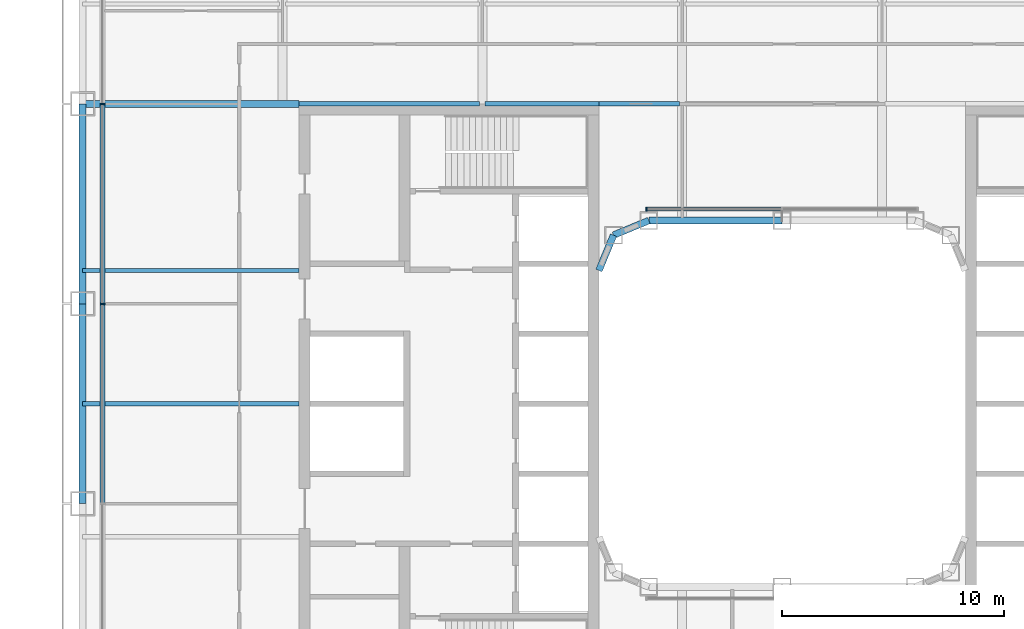
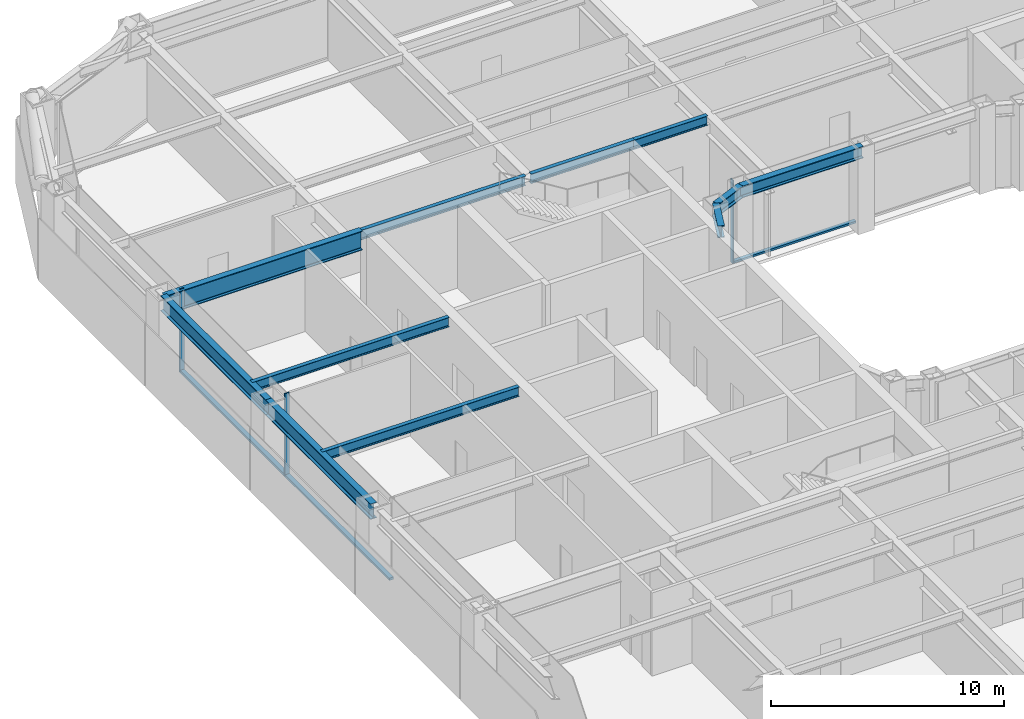
# One storey, part 6 of 27: 11 beams, 6 members, 2 elements without a shape of their own.
"""IFC4 building model written with IfcOpenShell, lengths in metres."""

from ifc_helpers import new_model, si_unit, direction, frame, origin, origin_2d, place, context, subcontext, project, spatial, rectangle, i_section, extrude, material, layer, layer_set, material_profile, profile_set, type_object, element, aggregate, save


model = new_model("IFC4")

# Units and contexts
model_context = context("Model", 3, precision=1e-05, world=origin(), true_north=direction((0.0, 1.0)))
body_context = subcontext(model_context, "Body", "Model", "MODEL_VIEW")
ifc_project = project(units=[si_unit("LENGTHUNIT", "METRE"), si_unit("AREAUNIT", "SQUARE_METRE"), si_unit("VOLUMEUNIT", "CUBIC_METRE"), si_unit("PLANEANGLEUNIT", "RADIAN"), si_unit("MASSUNIT", "GRAM", prefix="KILO")], contexts=[model_context])

# Site, building, storey
site_placement = place(None, origin())
site = spatial("IfcSite", under=ifc_project, at=site_placement, CompositionType="ELEMENT")
building_placement = place(site_placement, origin())
building = spatial("IfcBuilding", under=site, at=building_placement, Name="Siwar Civic Tower", CompositionType="ELEMENT")
storey_placement = place(building_placement, frame((0.0, 0.0, 35.699951171875)))
storey = spatial("IfcBuildingStorey", under=building, at=storey_placement, Name="L07", CompositionType="ELEMENT", Elevation=35.699951171875)

# Curtain wall, members
ifc_material_1 = material(Name="Aluminium and glass", Category="aluminium")
ifc_layer_1 = layer(ifc_material_1, 0.219970703125)
ifc_layer_set_1 = layer_set([ifc_layer_1], Name="Aluminium and glass")
curtain_wall_type_1 = type_object("IfcCurtainWallType", Name="ENV-CW-A", PredefinedType="NOTDEFINED", material=ifc_layer_set_1)
curtain_wall_1_placement = place(storey_placement, origin())
curtain_wall_1 = element("IfcCurtainWall", 1, at=curtain_wall_1_placement, inside=storey, type_object=curtain_wall_type_1, Name="Curtain wall A W", PredefinedType="NOTDEFINED")
ifc_material_2 = material(Name="Aluminium 6063-T6", Category="aluminium")
ifc_material_profile_1 = material_profile(ifc_material_2, rectangle(XDim=0.219970703125, YDim=0.070068359375, at=origin_2d()), Name="AL 220x70")
ifc_profile_set_1 = profile_set([ifc_material_profile_1], Name="Aluminium 6063-T6")
member_type_1 = type_object("IfcMemberType", Name="ENV-MULLION-A", PredefinedType="MULLION", material=ifc_profile_set_1)
member_1_placement = place(storey_placement, frame((-30.60009765625, 13.5, 0.0), z_axis=(0.0, 0.0, 1.0), x_axis=(1.0, 0.0, 0.0)))
member_1 = element("IfcMember", 2, at=member_1_placement, type_object=member_type_1, Name="Mullion A W 2", PredefinedType="MULLION", context=body_context, shape_type="SweptSolid", body=[
    extrude(rectangle(XDim=0.219970703125, YDim=0.070068359375, at=origin_2d()), origin(), (0.0, 0.0, 1.0), 4.35009765625),
])
member_2_placement = place(storey_placement, frame((-30.60009765625, 4.5, 0.0), z_axis=(0.0, 0.0, 1.0), x_axis=(1.0, 0.0, 0.0)))
member_2 = element("IfcMember", 3, at=member_2_placement, type_object=member_type_1, Name="Mullion A W 3", PredefinedType="MULLION", context=body_context, shape_type="SweptSolid", body=[
    extrude(rectangle(XDim=0.219970703125, YDim=0.070068359375, at=origin_2d()), origin(), (0.0, 0.0, 1.0), 4.35009765625),
])

# Curtain wall, member
ifc_material_3 = material(Name="Aluminium and glass", Category="aluminium")
ifc_layer_2 = layer(ifc_material_3, 0.179931640625)
ifc_layer_set_2 = layer_set([ifc_layer_2], Name="Aluminium and glass")
curtain_wall_type_2 = type_object("IfcCurtainWallType", Name="ENV-CW-W", PredefinedType="NOTDEFINED", material=ifc_layer_set_2)
curtain_wall_2_placement = place(storey_placement, origin())
curtain_wall_2 = element("IfcCurtainWall", 4, at=curtain_wall_2_placement, inside=storey, type_object=curtain_wall_type_2, Name="Curtain wall W WN", PredefinedType="NOTDEFINED")
ifc_material_4 = material(Name="Aluminium 6063-T6", Category="aluminium")
ifc_material_profile_2 = material_profile(ifc_material_4, rectangle(XDim=0.179931640625, YDim=0.06005859375, at=origin_2d()), Name="AL 180x60")
ifc_profile_set_2 = profile_set([ifc_material_profile_2], Name="Aluminium 6063-T6")
member_type_2 = type_object("IfcMemberType", Name="ENV-MULLION-W", PredefinedType="MULLION", material=ifc_profile_set_2)
member_3_placement = place(storey_placement, frame((-6.1015625, 8.760009765625, 0.0), z_axis=(0.0, 0.0, 1.0), x_axis=(0.0, -1.0, 0.0)))
member_3 = element("IfcMember", 5, at=member_3_placement, type_object=member_type_2, Name="Mullion W WN 3", PredefinedType="MULLION", context=body_context, shape_type="SweptSolid", body=[
    extrude(rectangle(XDim=0.179931640625, YDim=0.06005859375, at=origin_2d()), origin(), (0.0, 0.0, 1.0), 4.35009765625),
])

# Member
ifc_material_5 = material(Name="Aluminium 6063-T6", Category="aluminium")
ifc_material_profile_3 = material_profile(ifc_material_5, rectangle(XDim=0.219970703125, YDim=0.1201171875, at=origin_2d()), Name="AL 220x120")
ifc_profile_set_3 = profile_set([ifc_material_profile_3], Name="Aluminium 6063-T6")
member_type_3 = type_object("IfcMemberType", Name="ENV-TRANSOM-A", PredefinedType="USERDEFINED", material=ifc_profile_set_3)
member_4_placement = place(storey_placement, frame((-30.60009765625, 13.465087890625, 0.06005859375), z_axis=(0.0, -1.0, 0.0), x_axis=(1.0, 0.0, 0.0)))
member_4 = element("IfcMember", 6, at=member_4_placement, type_object=member_type_3, Name="Transom A W 2", ObjectType="TRANSOM", PredefinedType="USERDEFINED", context=body_context, shape_type="SweptSolid", body=[
    extrude(rectangle(XDim=0.219970703125, YDim=0.1201171875, at=origin_2d()), origin(), (0.0, 0.0, 1.0), 8.93017578125),
])

member_5_placement = place(storey_placement, frame((-30.60009765625, 4.465087890625, 0.06005859375), z_axis=(0.0, -1.0, 0.0), x_axis=(1.0, 0.0, 0.0)))
member_5 = element("IfcMember", 7, at=member_5_placement, type_object=member_type_3, Name="Transom A W 3", ObjectType="TRANSOM", PredefinedType="USERDEFINED", context=body_context, shape_type="SweptSolid", body=[
    extrude(rectangle(XDim=0.219970703125, YDim=0.1201171875, at=origin_2d()), origin(), (0.0, 0.0, 1.0), 8.93017578125),
])

aggregate(curtain_wall_1, [member_1, member_2, member_4, member_5])

ifc_material_6 = material(Name="Aluminium 6063-T6", Category="aluminium")
ifc_material_profile_4 = material_profile(ifc_material_6, rectangle(XDim=0.179931640625, YDim=0.10009765625, at=origin_2d()), Name="AL 180x100")
ifc_profile_set_4 = profile_set([ifc_material_profile_4], Name="Aluminium 6063-T6")
member_type_4 = type_object("IfcMemberType", Name="ENV-TRANSOM-W", PredefinedType="USERDEFINED", material=ifc_profile_set_4)
member_6_placement = place(storey_placement, frame((-0.030029296875, 8.760009765625, 0.050048828125), z_axis=(-1.0, 0.0, 0.0), x_axis=(0.0, -1.0, 0.0)))
member_6 = element("IfcMember", 8, at=member_6_placement, type_object=member_type_4, Name="Transom W WN 2", ObjectType="TRANSOM", PredefinedType="USERDEFINED", context=body_context, shape_type="SweptSolid", body=[
    extrude(rectangle(XDim=0.179931640625, YDim=0.10009765625, at=origin_2d()), origin(), (0.0, 0.0, 1.0), 6.04150390625),
])

aggregate(curtain_wall_2, [member_3, member_6])

# Beams
ifc_material_7 = material(Name="Steel S355", Category="steel")
ifc_material_profile_5 = material_profile(ifc_material_7, i_section(OverallWidth=0.199951171875, OverallDepth=0.5, WebThickness=0.01025390625, FlangeThickness=0.01611328125, FilletRadius=0.02099609375, at=origin_2d()), Name="IPE500")
ifc_profile_set_5 = profile_set([ifc_material_profile_5], Name="Steel S355")
beam_type_1 = type_object("IfcBeamType", Name="STR-FB-IPE500", PredefinedType="JOIST", material=ifc_profile_set_5)
for number, where, z_axis, x_axis, name in (
    (9, (-31.5, 0.0, 4.10009765625), (1.0, 0.0, 0.0), (0.0, 1.0, 0.0), "L07/bm/F033"),
    (10, (-31.5, 6.0, 4.10009765625), (1.0, 0.0, 0.0), (0.0, 1.0, 0.0), "L07/bm/F035"),
):
    element("IfcBeam", number, at=place(storey_placement, frame(where, z_axis=z_axis, x_axis=x_axis)), inside=storey, type_object=beam_type_1, Name=name, PredefinedType="JOIST", context=body_context, shape_type="SweptSolid", body=[
        extrude(i_section(OverallWidth=0.199951171875, OverallDepth=0.5, WebThickness=0.01025390625, FlangeThickness=0.01611328125, FilletRadius=0.02099609375, at=origin_2d()), origin(), (0.0, 0.0, 1.0), 9.75),
    ])
beam_1_placement = place(storey_placement, frame((-21.75, 13.5, 4.10009765625), z_axis=(1.0, 0.0, 0.0), x_axis=(0.0, 1.0, 0.0)))
element("IfcBeam", 11, at=beam_1_placement, inside=storey, type_object=beam_type_1, Name="L07/bm/F038", PredefinedType="JOIST", context=body_context, shape_type="SweptSolid", body=[
    extrude(i_section(OverallWidth=0.199951171875, OverallDepth=0.5, WebThickness=0.01025390625, FlangeThickness=0.01611328125, FilletRadius=0.02099609375, at=origin_2d()), origin(), (0.0, 0.0, 1.0), 8.1201171875),
])
beam_2_placement = place(storey_placement, frame((-13.3701171875, 13.5, 4.10009765625), z_axis=(1.0, 0.0, 0.0), x_axis=(0.0, 1.0, 0.0)))
element("IfcBeam", 12, at=beam_2_placement, inside=storey, type_object=beam_type_1, Name="L07/bm/F039", PredefinedType="JOIST", context=body_context, shape_type="SweptSolid", body=[
    extrude(i_section(OverallWidth=0.199951171875, OverallDepth=0.5, WebThickness=0.01025390625, FlangeThickness=0.01611328125, FilletRadius=0.02099609375, at=origin_2d()), origin(), (0.0, 0.0, 1.0), 5.1201171875),
])
beam_3_placement = place(storey_placement, frame((-8.25, 13.5, 4.10009765625), z_axis=(1.0, 0.0, 0.0), x_axis=(0.0, 1.0, 0.0)))
element("IfcBeam", 13, at=beam_3_placement, inside=storey, type_object=beam_type_1, Name="L07/bm/F040", PredefinedType="JOIST", context=body_context, shape_type="SweptSolid", body=[
    extrude(i_section(OverallWidth=0.199951171875, OverallDepth=0.5, WebThickness=0.01025390625, FlangeThickness=0.01611328125, FilletRadius=0.02099609375, at=origin_2d()), origin(), (0.0, 0.0, 1.0), 3.6201171875),
])
ifc_material_8 = material(Name="Steel S355", Category="steel")
ifc_material_profile_6 = material_profile(ifc_material_8, i_section(OverallWidth=0.300048828125, OverallDepth=1.0, WebThickness=0.01904296875, FlangeThickness=0.035888671875, FilletRadius=0.030029296875, at=origin_2d()), Name="HEB1000")
ifc_profile_set_6 = profile_set([ifc_material_profile_6], Name="Steel S355")
beam_type_2 = type_object("IfcBeamType", Name="STR-PG-HEB1000", PredefinedType="BEAM", material=ifc_profile_set_6)
beam_4_placement = place(storey_placement, frame((-31.5, 13.5, 3.85009765625), z_axis=(1.0, 0.0, 0.0), x_axis=(0.0, 1.0, 0.0)))
element("IfcBeam", 14, at=beam_4_placement, inside=storey, type_object=beam_type_2, Name="L07/bm/F037", PredefinedType="BEAM", context=body_context, shape_type="SweptSolid", body=[
    extrude(i_section(OverallWidth=0.300048828125, OverallDepth=1.0, WebThickness=0.01904296875, FlangeThickness=0.035888671875, FilletRadius=0.030029296875, at=origin_2d()), origin(), (0.0, 0.0, 1.0), 9.75),
])
ifc_material_9 = material(Name="Steel S355", Category="steel")
ifc_material_profile_7 = material_profile(ifc_material_9, i_section(OverallWidth=0.304931640625, OverallDepth=0.6201171875, WebThickness=0.02099609375, FlangeThickness=0.0400390625, FilletRadius=0.027099609375, at=origin_2d()), Name="HEM600")
ifc_profile_set_7 = profile_set([ifc_material_profile_7], Name="Steel S355")
beam_type_3 = type_object("IfcBeamType", Name="STR-RB-HEM600", PredefinedType="BEAM", material=ifc_profile_set_7)
beam_5_placement = place(storey_placement, frame((-7.591064453125, 7.591064453125, 4.0400390625), z_axis=(0.923901072997, 0.382631424892, 0.0), x_axis=(-0.382631424892, 0.923901072997, 0.0)))
element("IfcBeam", 15, at=beam_5_placement, inside=storey, type_object=beam_type_3, Name="L07/bm/RN0", PredefinedType="BEAM", context=body_context, shape_type="SweptSolid", body=[
    extrude(i_section(OverallWidth=0.304931640625, OverallDepth=0.6201171875, WebThickness=0.02099609375, FlangeThickness=0.0400390625, FilletRadius=0.027099609375, at=origin_2d()), origin(), (0.0, 0.0, 1.0), 1.72216796875),
])
beam_6_placement = place(storey_placement, frame((-6.0, 8.25, 4.0400390625), z_axis=(1.0, 0.0, 0.0), x_axis=(0.0, 1.0, 0.0)))
element("IfcBeam", 16, at=beam_6_placement, inside=storey, type_object=beam_type_3, Name="L07/bm/RN1", PredefinedType="BEAM", context=body_context, shape_type="SweptSolid", body=[
    extrude(i_section(OverallWidth=0.304931640625, OverallDepth=0.6201171875, WebThickness=0.02099609375, FlangeThickness=0.0400390625, FilletRadius=0.027099609375, at=origin_2d()), origin(), (0.0, 0.0, 1.0), 6.0),
])
beam_7_placement = place(storey_placement, frame((-7.591064453125, 7.591064453125, 4.0400390625), z_axis=(-0.382631424892, -0.923901072997, 0.0), x_axis=(0.923901072997, -0.382631424892, 0.0)))
element("IfcBeam", 17, at=beam_7_placement, inside=storey, type_object=beam_type_3, Name="L07/bm/RNEW", PredefinedType="BEAM", context=body_context, shape_type="SweptSolid", body=[
    extrude(i_section(OverallWidth=0.304931640625, OverallDepth=0.6201171875, WebThickness=0.02099609375, FlangeThickness=0.0400390625, FilletRadius=0.027099609375, at=origin_2d()), origin(), (0.0, 0.0, 1.0), 1.72216796875),
])
ifc_material_10 = material(Name="Steel S355", Category="steel")
ifc_material_profile_8 = material_profile(ifc_material_10, i_section(OverallWidth=0.302978515625, OverallDepth=0.81396484375, WebThickness=0.02099609375, FlangeThickness=0.0400390625, FilletRadius=0.030029296875, at=origin_2d()), Name="HEM800")
ifc_profile_set_8 = profile_set([ifc_material_profile_8], Name="Steel S355")
beam_type_4 = type_object("IfcBeamType", Name="STR-SB-HEM800", PredefinedType="BEAM", material=ifc_profile_set_8)
for number, where, z_axis, x_axis, name in (
    (18, (-31.5, 13.5, 3.943115234375), (0.0, -1.0, 0.0), (1.0, 0.0, 0.0), "L07/bm/SW-1"),
    (19, (-31.5, 4.5, 3.943115234375), (0.0, -1.0, 0.0), (1.0, 0.0, 0.0), "L07/bm/SW-2"),
):
    element("IfcBeam", number, at=place(storey_placement, frame(where, z_axis=z_axis, x_axis=x_axis)), inside=storey, type_object=beam_type_4, Name=name, PredefinedType="BEAM", context=body_context, shape_type="SweptSolid", body=[
        extrude(i_section(OverallWidth=0.302978515625, OverallDepth=0.81396484375, WebThickness=0.02099609375, FlangeThickness=0.0400390625, FilletRadius=0.030029296875, at=origin_2d()), origin(), (0.0, 0.0, 1.0), 9.0),
    ])

save(model, "model.ifc")
